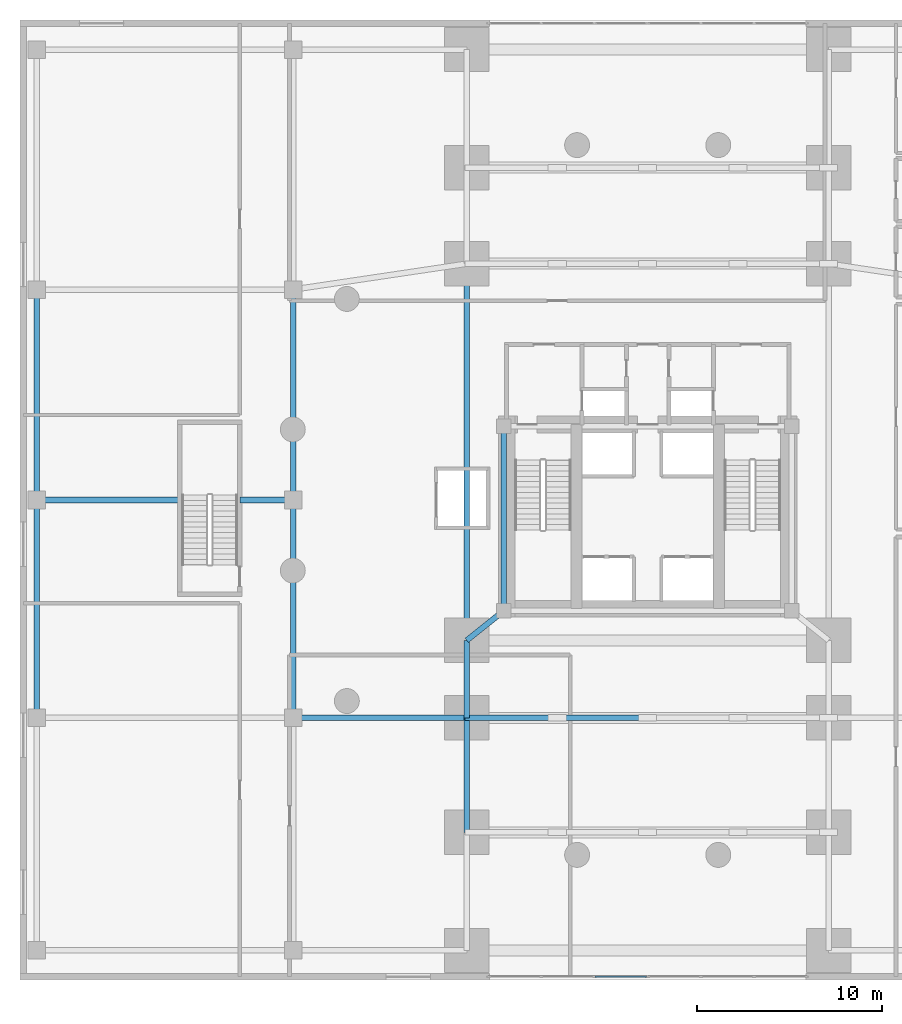
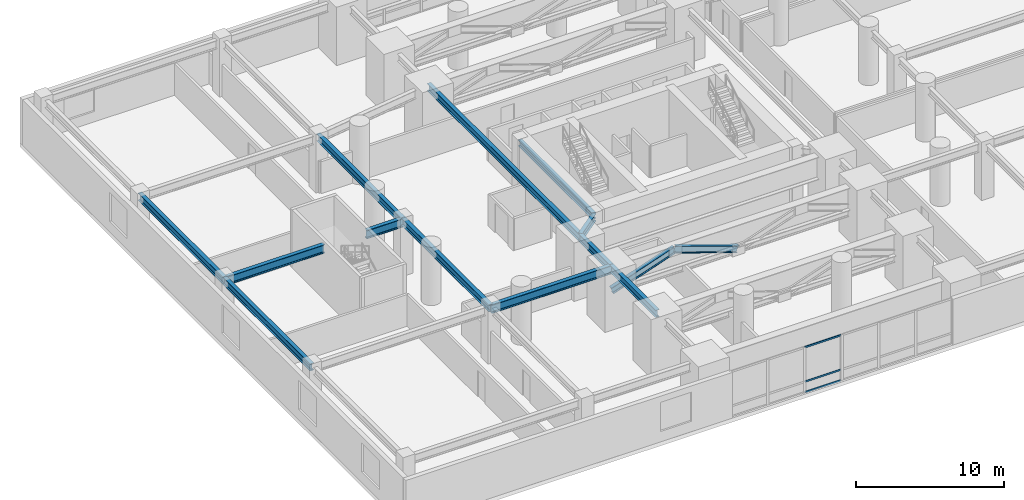
# One storey, part 3 of 17: 12 beams, 5 members, 1 element without a shape of its own.
"""IFC4 building model written with IfcOpenShell, lengths in metres."""

from ifc_helpers import new_model, si_unit, direction, frame, origin, origin_2d, place, context, subcontext, project, spatial, hollow_rectangle, i_section, extrude, material, layer, layer_set, material_profile, profile_set, type_object, element, aggregate, save


model = new_model("IFC4")

# Units and contexts
model_context = context("Model", 3, precision=1e-05, world=origin(), true_north=direction((0.0, 1.0)))
body_context = subcontext(model_context, "Body", "Model", "MODEL_VIEW")
ifc_project = project(units=[si_unit("LENGTHUNIT", "METRE"), si_unit("AREAUNIT", "SQUARE_METRE"), si_unit("VOLUMEUNIT", "CUBIC_METRE"), si_unit("PLANEANGLEUNIT", "RADIAN"), si_unit("MASSUNIT", "GRAM", prefix="KILO"), si_unit("THERMODYNAMICTEMPERATUREUNIT", "KELVIN"), si_unit("POWERUNIT", "WATT")], contexts=[model_context])

# Site, building, storey
site_placement = place(None, origin())
site = spatial("IfcSite", under=ifc_project, at=site_placement, CompositionType="ELEMENT")
building_placement = place(site_placement, origin())
building = spatial("IfcBuilding", under=site, at=building_placement, Name="Ocrelia Relay Tower", CompositionType="ELEMENT")
storey_placement = place(building_placement, frame((0.0, 0.0, 15.60009765625)))
storey = spatial("IfcBuildingStorey", under=building, at=storey_placement, Name="L03", CompositionType="ELEMENT", Elevation=15.60009765625)

# Beams
ifc_material_1 = material(Name="Steel S355", Category="steel")
ifc_material_profile_1 = material_profile(ifc_material_1, i_section(OverallWidth=0.300048828125, OverallDepth=0.5, WebThickness=0.014404296875, FlangeThickness=0.028076171875, FilletRadius=0.027099609375, at=origin_2d()), Name="HEB 500")
ifc_profile_set_1 = profile_set([ifc_material_profile_1], Name="Steel S355")
beam_type_1 = type_object("IfcBeamType", Name="BM-HEB500", PredefinedType="BEAM", material=ifc_profile_set_1)
beam_1_placement = place(storey_placement, frame((26.199951171875, 20.0, 4.22998046875), z_axis=(0.0, 1.0, 0.0), x_axis=(-1.0, 0.0, 0.0)))
element("IfcBeam", 1, at=beam_1_placement, inside=storey, type_object=beam_type_1, Name="L03 Core Pilaster Tie Beam W", PredefinedType="BEAM", context=body_context, shape_type="SweptSolid", body=[
    extrude(i_section(OverallWidth=0.300048828125, OverallDepth=0.5, WebThickness=0.014404296875, FlangeThickness=0.028076171875, FilletRadius=0.027099609375, at=origin_2d()), origin(), (0.0, 0.0, 1.0), 10.0),
])
ifc_material_profile_2 = material_profile(ifc_material_1, i_section(OverallWidth=0.300048828125, OverallDepth=0.60009765625, WebThickness=0.015380859375, FlangeThickness=0.030029296875, FilletRadius=0.027099609375, at=origin_2d()), Name="HEB 600")
ifc_profile_set_2 = profile_set([ifc_material_profile_2], Name="Steel S355")
beam_type_2 = type_object("IfcBeamType", Name="BM-HEB600", PredefinedType="BEAM", material=ifc_profile_set_2)
beam_2_placement = place(storey_placement, frame((0.89990234375, 14.199951171875, 4.179931640625), z_axis=(0.0, 1.0, 0.0), x_axis=(-1.0, 0.0, 0.0)))
element("IfcBeam", 2, at=beam_2_placement, inside=storey, type_object=beam_type_2, Name="L03 Podium Span Girder W-2", PredefinedType="BEAM", context=body_context, shape_type="SweptSolid", body=[
    extrude(i_section(OverallWidth=0.300048828125, OverallDepth=0.60009765625, WebThickness=0.015380859375, FlangeThickness=0.030029296875, FilletRadius=0.027099609375, at=origin_2d()), origin(), (0.0, 0.0, 1.0), 11.800048828125),
])
beam_3_placement = place(storey_placement, frame((0.89990234375, 26.0, 4.179931640625), z_axis=(0.0, 1.0, 0.0), x_axis=(-1.0, 0.0, 0.0)))
element("IfcBeam", 3, at=beam_3_placement, inside=storey, type_object=beam_type_2, Name="L03 Podium Span Girder W-3", PredefinedType="BEAM", context=body_context, shape_type="SweptSolid", body=[
    extrude(i_section(OverallWidth=0.300048828125, OverallDepth=0.60009765625, WebThickness=0.015380859375, FlangeThickness=0.030029296875, FilletRadius=0.027099609375, at=origin_2d()), origin(), (0.0, 0.0, 1.0), 11.39990234375),
])
beam_4_placement = place(storey_placement, frame((14.800048828125, 14.199951171875, 4.179931640625), z_axis=(0.0, 1.0, 0.0), x_axis=(-1.0, 0.0, 0.0)))
element("IfcBeam", 4, at=beam_4_placement, inside=storey, type_object=beam_type_2, Name="L03 Podium Span Girder IW-2", PredefinedType="BEAM", context=body_context, shape_type="SweptSolid", body=[
    extrude(i_section(OverallWidth=0.300048828125, OverallDepth=0.60009765625, WebThickness=0.015380859375, FlangeThickness=0.030029296875, FilletRadius=0.027099609375, at=origin_2d()), origin(), (0.0, 0.0, 1.0), 11.800048828125),
])
beam_5_placement = place(storey_placement, frame((14.800048828125, 26.0, 4.179931640625), z_axis=(0.0, 1.0, 0.0), x_axis=(-1.0, 0.0, 0.0)))
element("IfcBeam", 5, at=beam_5_placement, inside=storey, type_object=beam_type_2, Name="L03 Podium Span Girder IW-3", PredefinedType="BEAM", context=body_context, shape_type="SweptSolid", body=[
    extrude(i_section(OverallWidth=0.300048828125, OverallDepth=0.60009765625, WebThickness=0.015380859375, FlangeThickness=0.030029296875, FilletRadius=0.027099609375, at=origin_2d()), origin(), (0.0, 0.0, 1.0), 11.39990234375),
])
beam_6_placement = place(storey_placement, frame((24.199951171875, 8.0, 4.179931640625), z_axis=(0.0, 1.0, 0.0), x_axis=(-1.0, 0.0, 0.0)))
element("IfcBeam", 6, at=beam_6_placement, inside=storey, type_object=beam_type_2, Name="L03 Pier Line Tie Girder AW-2", PredefinedType="BEAM", context=body_context, shape_type="SweptSolid", body=[
    extrude(i_section(OverallWidth=0.300048828125, OverallDepth=0.60009765625, WebThickness=0.015380859375, FlangeThickness=0.030029296875, FilletRadius=0.027099609375, at=origin_2d()), origin(), (0.0, 0.0, 1.0), 6.199951171875),
])
beam_7_placement = place(storey_placement, frame((24.199951171875, 14.199951171875, 4.179931640625), z_axis=(0.0, 1.0, 0.0), x_axis=(-1.0, 0.0, 0.0)))
element("IfcBeam", 7, at=beam_7_placement, inside=storey, type_object=beam_type_2, Name="L03 Pier Line Tie Girder AW-3", PredefinedType="BEAM", context=body_context, shape_type="SweptSolid", body=[
    extrude(i_section(OverallWidth=0.300048828125, OverallDepth=0.60009765625, WebThickness=0.015380859375, FlangeThickness=0.030029296875, FilletRadius=0.027099609375, at=origin_2d()), origin(), (0.0, 0.0, 1.0), 4.199951171875),
])
beam_8_placement = place(storey_placement, frame((24.199951171875, 18.39990234375, 4.179931640625), z_axis=(0.0, 1.0, 0.0), x_axis=(-1.0, 0.0, 0.0)))
element("IfcBeam", 8, at=beam_8_placement, inside=storey, type_object=beam_type_2, Name="L03 Pier Line Tie Girder AW-6", PredefinedType="BEAM", context=body_context, shape_type="SweptSolid", body=[
    extrude(i_section(OverallWidth=0.300048828125, OverallDepth=0.60009765625, WebThickness=0.015380859375, FlangeThickness=0.030029296875, FilletRadius=0.027099609375, at=origin_2d()), origin(), (0.0, 0.0, 1.0), 20.400146484375),
])
beam_9_placement = place(storey_placement, frame((24.199951171875, 18.39990234375, 4.179931640625), z_axis=(0.78085021034, 0.624718295724, 0.0), x_axis=(-0.624718295724, 0.78085021034, 0.0)))
element("IfcBeam", 9, at=beam_9_placement, inside=storey, type_object=beam_type_2, Name="L03 Core Pilaster Link Girder AWS", PredefinedType="BEAM", context=body_context, shape_type="SweptSolid", body=[
    extrude(i_section(OverallWidth=0.300048828125, OverallDepth=0.60009765625, WebThickness=0.015380859375, FlangeThickness=0.030029296875, FilletRadius=0.027099609375, at=origin_2d()), origin(), (0.0, 0.0, 1.0), 2.561279296875),
])
ifc_material_profile_3 = material_profile(ifc_material_1, i_section(OverallWidth=0.300048828125, OverallDepth=0.699951171875, WebThickness=0.01708984375, FlangeThickness=0.031982421875, FilletRadius=0.027099609375, at=origin_2d()), Name="HEB 700")
ifc_profile_set_3 = profile_set([ifc_material_profile_3], Name="Steel S355")
beam_type_3 = type_object("IfcBeamType", Name="BM-HEB700", PredefinedType="BEAM", material=ifc_profile_set_3)
beam_10_placement = place(storey_placement, frame((14.800048828125, 14.199951171875, 4.1298828125), z_axis=(1.0, 0.0, 0.0), x_axis=(0.0, 1.0, 0.0)))
element("IfcBeam", 10, at=beam_10_placement, inside=storey, type_object=beam_type_3, Name="L03 West Inner Podium Girder M1", PredefinedType="BEAM", context=body_context, shape_type="SweptSolid", body=[
    extrude(i_section(OverallWidth=0.300048828125, OverallDepth=0.699951171875, WebThickness=0.01708984375, FlangeThickness=0.031982421875, FilletRadius=0.027099609375, at=origin_2d()), origin(), (0.0, 0.0, 1.0), 9.39990234375),
])
beam_11_placement = place(storey_placement, frame((0.89990234375, 26.0, 4.1298828125), z_axis=(1.0, 0.0, 0.0), x_axis=(0.0, 1.0, 0.0)))
element("IfcBeam", 11, at=beam_11_placement, inside=storey, type_object=beam_type_3, Name="L03 West Mid Podium Girder Outer", PredefinedType="BEAM", context=body_context, shape_type="SweptSolid", body=[
    extrude(i_section(OverallWidth=0.300048828125, OverallDepth=0.699951171875, WebThickness=0.01708984375, FlangeThickness=0.031982421875, FilletRadius=0.027099609375, at=origin_2d()), origin(), (0.0, 0.0, 1.0), 7.752197265625),
])
beam_12_placement = place(storey_placement, frame((11.907958984375, 26.0, 4.1298828125), z_axis=(1.0, 0.0, 0.0), x_axis=(0.0, 1.0, 0.0)))
element("IfcBeam", 12, at=beam_12_placement, inside=storey, type_object=beam_type_3, Name="L03 West Mid Podium Girder Inner", PredefinedType="BEAM", context=body_context, shape_type="SweptSolid", body=[
    extrude(i_section(OverallWidth=0.300048828125, OverallDepth=0.699951171875, WebThickness=0.01708984375, FlangeThickness=0.031982421875, FilletRadius=0.027099609375, at=origin_2d()), origin(), (0.0, 0.0, 1.0), 2.89208984375),
])

# Curtain wall, members
ifc_material_2 = material(Name="Aluminium and solar-control low-E glass", Category="aluminium")
ifc_layer = layer(ifc_material_2, 0.179931640625, Name="Aluminium and solar-control low-E glass")
ifc_layer_set = layer_set([ifc_layer], Name="Aluminium and solar-control low-E glass")
curtain_wall_type = type_object("IfcCurtainWallType", Name="CW-SYS-POD-GALL", PredefinedType="NOTDEFINED", material=ifc_layer_set)
curtain_wall_placement = place(storey_placement, origin())
curtain_wall = element("IfcCurtainWall", 13, at=curtain_wall_placement, inside=storey, type_object=curtain_wall_type, Name="L03 South Over-Arch Curtain Wall West", PredefinedType="NOTDEFINED")
ifc_material_3 = material(Name="Anodised bronze aluminium", Category="aluminium")
ifc_material_profile_4 = material_profile(ifc_material_3, hollow_rectangle(XDim=0.06494140625, YDim=0.139892578125, WallThickness=0.0048828125, at=origin_2d()), Name="CW-TRN-140x65")
ifc_profile_set_4 = profile_set([ifc_material_profile_4], Name="Anodised bronze aluminium")
member_type_1 = type_object("IfcMemberType", Name="CW-SYS-POD-GALL-TRN", PredefinedType="USERDEFINED", material=ifc_profile_set_4)
member_1_placement = place(storey_placement, frame((31.151611328125, 0.179931640625, 0.032470703125), z_axis=(1.0, 0.0, 0.0), x_axis=(0.0, 1.0, 0.0)))
member_1 = element("IfcMember", 14, at=member_1_placement, type_object=member_type_1, Name="CW-PG transom 3.1", ObjectType="TRANSOM", PredefinedType="USERDEFINED", context=body_context, shape_type="SweptSolid", body=[
    extrude(hollow_rectangle(XDim=0.06494140625, YDim=0.139892578125, WallThickness=0.0048828125, at=origin_2d()), origin(), (0.0, 0.0, 1.0), 2.7783203125),
])
member_2_placement = place(storey_placement, frame((31.151611328125, 0.179931640625, 0.89990234375), z_axis=(1.0, 0.0, 0.0), x_axis=(0.0, 1.0, 0.0)))
member_2 = element("IfcMember", 15, at=member_2_placement, type_object=member_type_1, Name="CW-PG transom 3.2", ObjectType="TRANSOM", PredefinedType="USERDEFINED", context=body_context, shape_type="SweptSolid", body=[
    extrude(hollow_rectangle(XDim=0.06494140625, YDim=0.139892578125, WallThickness=0.0048828125, at=origin_2d()), origin(), (0.0, 0.0, 1.0), 2.7783203125),
])
member_3_placement = place(storey_placement, frame((31.151611328125, 0.179931640625, 3.727294921875), z_axis=(1.0, 0.0, 0.0), x_axis=(0.0, 1.0, 0.0)))
member_3 = element("IfcMember", 16, at=member_3_placement, type_object=member_type_1, Name="CW-PG transom 3.3", ObjectType="TRANSOM", PredefinedType="USERDEFINED", context=body_context, shape_type="SweptSolid", body=[
    extrude(hollow_rectangle(XDim=0.06494140625, YDim=0.139892578125, WallThickness=0.0048828125, at=origin_2d()), origin(), (0.0, 0.0, 1.0), 2.7783203125),
])
aggregate(curtain_wall, [member_1, member_2, member_3])

# Members
ifc_material_profile_5 = material_profile(ifc_material_1, i_section(OverallWidth=0.300048828125, OverallDepth=0.550048828125, WebThickness=0.014892578125, FlangeThickness=0.029052734375, FilletRadius=0.027099609375, at=origin_2d()), Name="HEB 550")
ifc_profile_set_5 = profile_set([ifc_material_profile_5], Name="Steel S355")
member_type_2 = type_object("IfcMemberType", Name="MB-ARCH-DIAG", PredefinedType="BRACE", material=ifc_profile_set_5)
member_4_placement = place(storey_placement, frame((24.199951171875, 14.199951171875, 2.349853515625), z_axis=(0.945952968798, 0.0, 0.324303840282), x_axis=(0.0, 1.0, 0.0)))
element("IfcMember", 17, at=member_4_placement, inside=storey, type_object=member_type_2, Name="L03 Warren Transfer Truss Diagonal SI-1", PredefinedType="BRACE", context=body_context, shape_type="SweptSolid", body=[
    extrude(i_section(OverallWidth=0.300048828125, OverallDepth=0.550048828125, WebThickness=0.014892578125, FlangeThickness=0.029052734375, FilletRadius=0.027099609375, at=origin_2d()), origin(), (0.0, 0.0, 1.0), 5.18017578125),
])
member_5_placement = place(storey_placement, frame((29.10009765625, 14.199951171875, 4.02978515625), z_axis=(0.945948011629, 0.0, -0.324318299353), x_axis=(0.0, 1.0, 0.0)))
element("IfcMember", 18, at=member_5_placement, inside=storey, type_object=member_type_2, Name="L03 Warren Transfer Truss Diagonal SI-2", PredefinedType="BRACE", context=body_context, shape_type="SweptSolid", body=[
    extrude(i_section(OverallWidth=0.300048828125, OverallDepth=0.550048828125, WebThickness=0.014892578125, FlangeThickness=0.029052734375, FilletRadius=0.027099609375, at=origin_2d()), origin(), (0.0, 0.0, 1.0), 5.179931640625),
])

save(model, "model.ifc")
